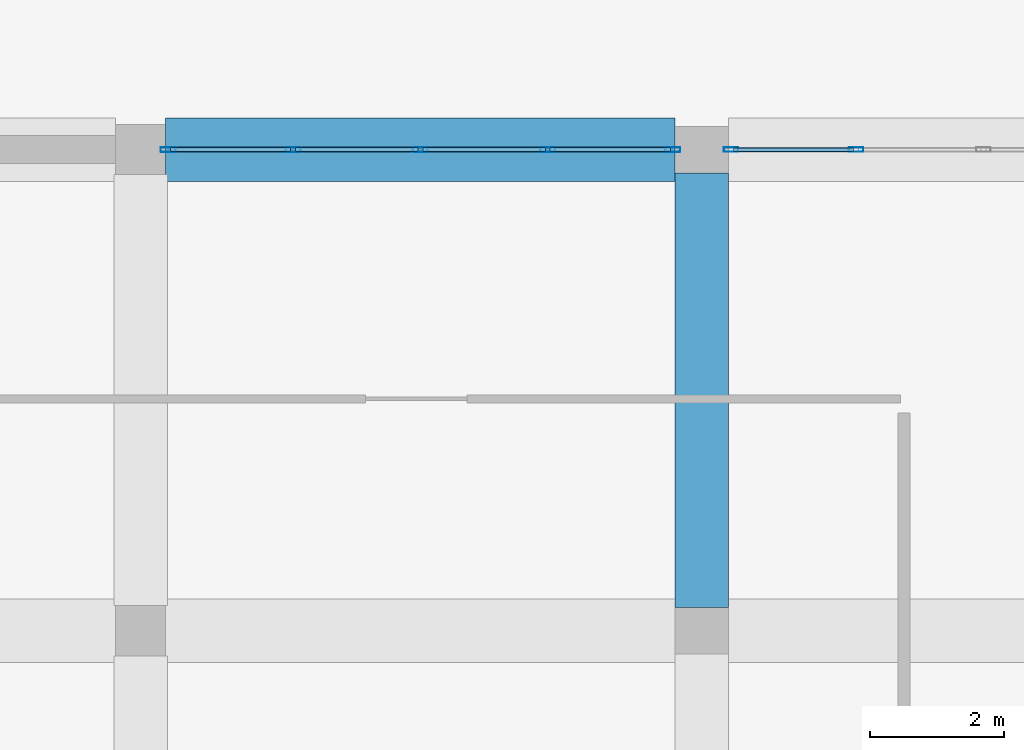
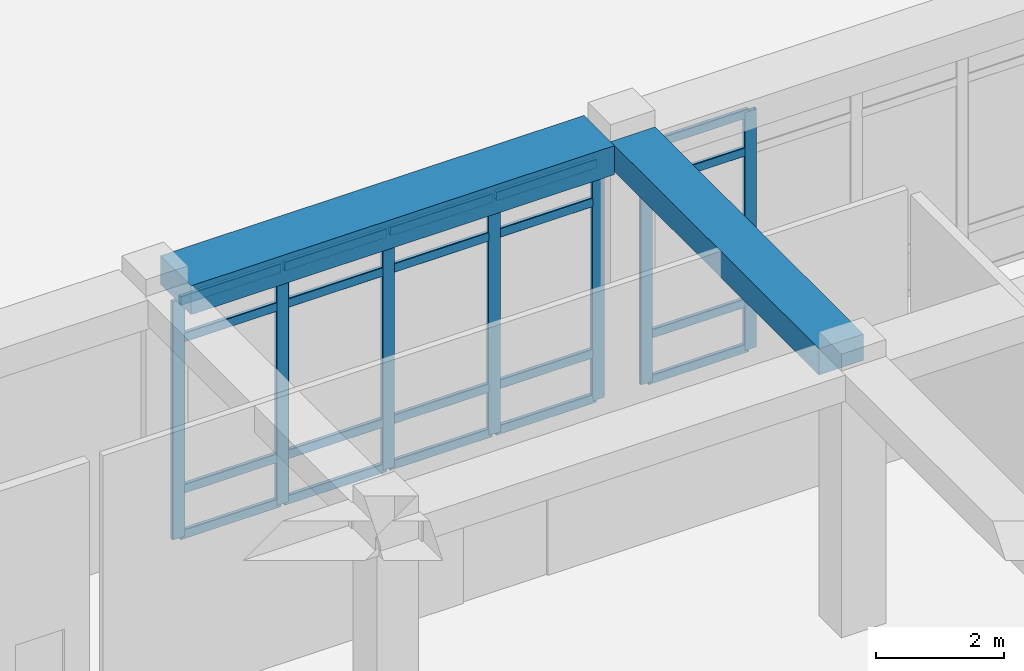
# One storey, part 21 of 84: 27 members, 2 beams, 2 elements without a shape of their own.
"""IFC4 building model written with IfcOpenShell, lengths in metres."""

from ifc_helpers import new_model, si_unit, derived_unit, direction, frame, origin, origin_2d, place, context, subcontext, project, spatial, rectangle, hollow_rectangle, extrude, material, material_profile, profile_set, type_object, element, aggregate, save


model = new_model("IFC4")

# Units and contexts
model_context = context("Model", 3, precision=1e-05, world=origin(), true_north=direction((0.0, 1.0)))
body_context = subcontext(model_context, "Body", "Model", "MODEL_VIEW")
ifc_project = project(units=[si_unit("LENGTHUNIT", "METRE"), si_unit("AREAUNIT", "SQUARE_METRE"), si_unit("VOLUMEUNIT", "CUBIC_METRE"), si_unit("PLANEANGLEUNIT", "RADIAN"), si_unit("MASSUNIT", "GRAM", prefix="KILO"), derived_unit("THERMALTRANSMITTANCEUNIT", [(si_unit("POWERUNIT", "WATT"), 1), (si_unit("LENGTHUNIT", "METRE"), -2), (si_unit("THERMODYNAMICTEMPERATUREUNIT", "KELVIN"), -1)])], contexts=[model_context])

# Site, building, storey
site_placement = place(None, origin())
site = spatial("IfcSite", under=ifc_project, at=site_placement, CompositionType="ELEMENT")
building_placement = place(site_placement, origin())
building = spatial("IfcBuilding", under=site, at=building_placement, Name="Veybourne Emporium", CompositionType="ELEMENT")
storey_placement = place(building_placement, origin())
storey = spatial("IfcBuildingStorey", under=building, at=storey_placement, Name="L00", CompositionType="ELEMENT", Elevation=0.0)

# Curtain wall, members
ifc_material_1 = material(Name="Patinated Architectural Bronze", Category="bronze")
curtain_wall_type_1 = type_object("IfcCurtainWallType", Name="CWSystem_CWS-09", PredefinedType="NOTDEFINED", material=ifc_material_1)
curtain_wall_1_placement = place(storey_placement, origin())
curtain_wall_1 = element("IfcCurtainWall", 1, at=curtain_wall_1_placement, inside=storey, type_object=curtain_wall_type_1, Name="L00 bronze glazed curtain wall CWS-09 (054)", PredefinedType="NOTDEFINED")
ifc_material_profile_1 = material_profile(ifc_material_1, hollow_rectangle(XDim=0.072021484375, YDim=0.22509765625, WallThickness=0.0048828125, InnerFilletRadius=0.007568359375, OuterFilletRadius=0.012451171875, at=origin_2d()), Name="CWM 72x225x5")
ifc_profile_set_1 = profile_set([ifc_material_profile_1], Name="Patinated Architectural Bronze")
member_type_1 = type_object("IfcMemberType", Name="CWMullion_CW-M1", PredefinedType="MULLION", material=ifc_profile_set_1)
member_1_placement = place(storey_placement, frame((101.2109375, 28.800048828125, 0.0), z_axis=(0.0, 0.0, 1.0), x_axis=(0.0, 1.0, 0.0)))
member_1 = element("IfcMember", 2, at=member_1_placement, type_object=member_type_1, Name="CWS-09 mullion 1", PredefinedType="MULLION", context=body_context, shape_type="SweptSolid", body=[
    extrude(hollow_rectangle(XDim=0.072021484375, YDim=0.22509765625, WallThickness=0.0048828125, InnerFilletRadius=0.007568359375, OuterFilletRadius=0.012451171875, at=origin_2d()), origin(), (0.0, 0.0, 1.0), 4.530029296875),
])
member_2_placement = place(storey_placement, frame((103.081298828125, 28.800048828125, 0.0), z_axis=(0.0, 0.0, 1.0), x_axis=(0.0, 1.0, 0.0)))
member_2 = element("IfcMember", 3, at=member_2_placement, type_object=member_type_1, Name="CWS-09 mullion 2", PredefinedType="MULLION", context=body_context, shape_type="SweptSolid", body=[
    extrude(hollow_rectangle(XDim=0.072021484375, YDim=0.22509765625, WallThickness=0.0048828125, InnerFilletRadius=0.007568359375, OuterFilletRadius=0.012451171875, at=origin_2d()), origin(), (0.0, 0.0, 1.0), 4.530029296875),
])
member_3_placement = place(storey_placement, frame((104.987548828125, 28.800048828125, 0.0), z_axis=(0.0, 0.0, 1.0), x_axis=(0.0, 1.0, 0.0)))
member_3 = element("IfcMember", 4, at=member_3_placement, type_object=member_type_1, Name="CWS-09 mullion 3", PredefinedType="MULLION", context=body_context, shape_type="SweptSolid", body=[
    extrude(hollow_rectangle(XDim=0.072021484375, YDim=0.22509765625, WallThickness=0.0048828125, InnerFilletRadius=0.007568359375, OuterFilletRadius=0.012451171875, at=origin_2d()), origin(), (0.0, 0.0, 1.0), 4.530029296875),
])
member_4_placement = place(storey_placement, frame((106.893798828125, 28.800048828125, 0.0), z_axis=(0.0, 0.0, 1.0), x_axis=(0.0, 1.0, 0.0)))
member_4 = element("IfcMember", 5, at=member_4_placement, type_object=member_type_1, Name="CWS-09 mullion 4", PredefinedType="MULLION", context=body_context, shape_type="SweptSolid", body=[
    extrude(hollow_rectangle(XDim=0.072021484375, YDim=0.22509765625, WallThickness=0.0048828125, InnerFilletRadius=0.007568359375, OuterFilletRadius=0.012451171875, at=origin_2d()), origin(), (0.0, 0.0, 1.0), 4.530029296875),
])
member_5_placement = place(storey_placement, frame((108.763916015625, 28.800048828125, 0.0), z_axis=(0.0, 0.0, 1.0), x_axis=(0.0, 1.0, 0.0)))
member_5 = element("IfcMember", 6, at=member_5_placement, type_object=member_type_1, Name="CWS-09 mullion 5", PredefinedType="MULLION", context=body_context, shape_type="SweptSolid", body=[
    extrude(hollow_rectangle(XDim=0.072021484375, YDim=0.22509765625, WallThickness=0.0048828125, InnerFilletRadius=0.007568359375, OuterFilletRadius=0.012451171875, at=origin_2d()), origin(), (0.0, 0.0, 1.0), 4.530029296875),
])

curtain_wall_type_2 = type_object("IfcCurtainWallType", Name="CWSystem_CWS-12", PredefinedType="NOTDEFINED", material=ifc_material_1)
curtain_wall_2_placement = place(storey_placement, origin())
curtain_wall_2 = element("IfcCurtainWall", 7, at=curtain_wall_2_placement, inside=storey, type_object=curtain_wall_type_2, Name="L00 bronze glazed curtain wall CWS-12 (058)", PredefinedType="NOTDEFINED")
ifc_material_profile_2 = material_profile(ifc_material_1, hollow_rectangle(XDim=0.070068359375, YDim=0.219970703125, WallThickness=0.0048828125, InnerFilletRadius=0.007568359375, OuterFilletRadius=0.012451171875, at=origin_2d()), Name="CWM 70x220x5")
ifc_profile_set_2 = profile_set([ifc_material_profile_2], Name="Patinated Architectural Bronze")
member_type_2 = type_object("IfcMemberType", Name="CWMullion_CW-M4", PredefinedType="MULLION", material=ifc_profile_set_2)
member_6_placement = place(storey_placement, frame((109.635009765625, 28.800048828125, 0.0), z_axis=(0.0, 0.0, 1.0), x_axis=(0.0, 1.0, 0.0)))
member_6 = element("IfcMember", 8, at=member_6_placement, type_object=member_type_2, Name="CWS-12 mullion 1", PredefinedType="MULLION", context=body_context, shape_type="SweptSolid", body=[
    extrude(hollow_rectangle(XDim=0.070068359375, YDim=0.219970703125, WallThickness=0.0048828125, InnerFilletRadius=0.007568359375, OuterFilletRadius=0.012451171875, at=origin_2d()), origin(), (0.0, 0.0, 1.0), 4.530029296875),
])
member_7_placement = place(storey_placement, frame((111.50634765625, 28.800048828125, 0.0), z_axis=(0.0, 0.0, 1.0), x_axis=(0.0, 1.0, 0.0)))
member_7 = element("IfcMember", 9, at=member_7_placement, type_object=member_type_2, Name="CWS-12 mullion 2", PredefinedType="MULLION", context=body_context, shape_type="SweptSolid", body=[
    extrude(hollow_rectangle(XDim=0.070068359375, YDim=0.219970703125, WallThickness=0.0048828125, InnerFilletRadius=0.007568359375, OuterFilletRadius=0.012451171875, at=origin_2d()), origin(), (0.0, 0.0, 1.0), 4.530029296875),
])

# Member
ifc_material_profile_3 = material_profile(ifc_material_1, hollow_rectangle(XDim=0.072021484375, YDim=0.175048828125, WallThickness=0.0048828125, InnerFilletRadius=0.007568359375, OuterFilletRadius=0.012451171875, at=origin_2d()), Name="CWT 72x175x5")
ifc_profile_set_3 = profile_set([ifc_material_profile_3], Name="Patinated Architectural Bronze")
member_type_3 = type_object("IfcMemberType", Name="CWTransom_CW-T1", PredefinedType="NOTDEFINED", material=ifc_profile_set_3)
member_8_placement = place(storey_placement, frame((101.2470703125, 28.800048828125, 0.035888671875), z_axis=(1.0, 0.0, 0.0), x_axis=(0.0, 1.0, 0.0)))
member_8 = element("IfcMember", 10, at=member_8_placement, type_object=member_type_3, Name="CWS-09 transom 1.1", ObjectType="TRANSOM", PredefinedType="USERDEFINED", context=body_context, shape_type="SweptSolid", body=[
    extrude(hollow_rectangle(XDim=0.072021484375, YDim=0.175048828125, WallThickness=0.0048828125, InnerFilletRadius=0.007568359375, OuterFilletRadius=0.012451171875, at=origin_2d()), origin(), (0.0, 0.0, 1.0), 1.798095703125),
])

member_9_placement = place(storey_placement, frame((101.2470703125, 28.800048828125, 0.89990234375), z_axis=(1.0, 0.0, 0.0), x_axis=(0.0, 1.0, 0.0)))
member_9 = element("IfcMember", 11, at=member_9_placement, type_object=member_type_3, Name="CWS-09 transom 1.2", ObjectType="TRANSOM", PredefinedType="USERDEFINED", context=body_context, shape_type="SweptSolid", body=[
    extrude(hollow_rectangle(XDim=0.072021484375, YDim=0.175048828125, WallThickness=0.0048828125, InnerFilletRadius=0.007568359375, OuterFilletRadius=0.012451171875, at=origin_2d()), origin(), (0.0, 0.0, 1.0), 1.798095703125),
])

member_10_placement = place(storey_placement, frame((101.2470703125, 28.800048828125, 3.780029296875), z_axis=(1.0, 0.0, 0.0), x_axis=(0.0, 1.0, 0.0)))
member_10 = element("IfcMember", 12, at=member_10_placement, type_object=member_type_3, Name="CWS-09 transom 1.3", ObjectType="TRANSOM", PredefinedType="USERDEFINED", context=body_context, shape_type="SweptSolid", body=[
    extrude(hollow_rectangle(XDim=0.072021484375, YDim=0.175048828125, WallThickness=0.0048828125, InnerFilletRadius=0.007568359375, OuterFilletRadius=0.012451171875, at=origin_2d()), origin(), (0.0, 0.0, 1.0), 1.798095703125),
])

member_11_placement = place(storey_placement, frame((101.2470703125, 28.800048828125, 4.493896484375), z_axis=(1.0, 0.0, 0.0), x_axis=(0.0, 1.0, 0.0)))
member_11 = element("IfcMember", 13, at=member_11_placement, type_object=member_type_3, Name="CWS-09 transom 1.4", ObjectType="TRANSOM", PredefinedType="USERDEFINED", context=body_context, shape_type="SweptSolid", body=[
    extrude(hollow_rectangle(XDim=0.072021484375, YDim=0.175048828125, WallThickness=0.0048828125, InnerFilletRadius=0.007568359375, OuterFilletRadius=0.012451171875, at=origin_2d()), origin(), (0.0, 0.0, 1.0), 1.798095703125),
])

member_12_placement = place(storey_placement, frame((103.1171875, 28.800048828125, 0.035888671875), z_axis=(1.0, 0.0, 0.0), x_axis=(0.0, 1.0, 0.0)))
member_12 = element("IfcMember", 14, at=member_12_placement, type_object=member_type_3, Name="CWS-09 transom 2.1", ObjectType="TRANSOM", PredefinedType="USERDEFINED", context=body_context, shape_type="SweptSolid", body=[
    extrude(hollow_rectangle(XDim=0.072021484375, YDim=0.175048828125, WallThickness=0.0048828125, InnerFilletRadius=0.007568359375, OuterFilletRadius=0.012451171875, at=origin_2d()), origin(), (0.0, 0.0, 1.0), 1.834228515625),
])

member_13_placement = place(storey_placement, frame((103.1171875, 28.800048828125, 0.89990234375), z_axis=(1.0, 0.0, 0.0), x_axis=(0.0, 1.0, 0.0)))
member_13 = element("IfcMember", 15, at=member_13_placement, type_object=member_type_3, Name="CWS-09 transom 2.2", ObjectType="TRANSOM", PredefinedType="USERDEFINED", context=body_context, shape_type="SweptSolid", body=[
    extrude(hollow_rectangle(XDim=0.072021484375, YDim=0.175048828125, WallThickness=0.0048828125, InnerFilletRadius=0.007568359375, OuterFilletRadius=0.012451171875, at=origin_2d()), origin(), (0.0, 0.0, 1.0), 1.834228515625),
])

member_14_placement = place(storey_placement, frame((103.1171875, 28.800048828125, 3.780029296875), z_axis=(1.0, 0.0, 0.0), x_axis=(0.0, 1.0, 0.0)))
member_14 = element("IfcMember", 16, at=member_14_placement, type_object=member_type_3, Name="CWS-09 transom 2.3", ObjectType="TRANSOM", PredefinedType="USERDEFINED", context=body_context, shape_type="SweptSolid", body=[
    extrude(hollow_rectangle(XDim=0.072021484375, YDim=0.175048828125, WallThickness=0.0048828125, InnerFilletRadius=0.007568359375, OuterFilletRadius=0.012451171875, at=origin_2d()), origin(), (0.0, 0.0, 1.0), 1.834228515625),
])

member_15_placement = place(storey_placement, frame((103.1171875, 28.800048828125, 4.493896484375), z_axis=(1.0, 0.0, 0.0), x_axis=(0.0, 1.0, 0.0)))
member_15 = element("IfcMember", 17, at=member_15_placement, type_object=member_type_3, Name="CWS-09 transom 2.4", ObjectType="TRANSOM", PredefinedType="USERDEFINED", context=body_context, shape_type="SweptSolid", body=[
    extrude(hollow_rectangle(XDim=0.072021484375, YDim=0.175048828125, WallThickness=0.0048828125, InnerFilletRadius=0.007568359375, OuterFilletRadius=0.012451171875, at=origin_2d()), origin(), (0.0, 0.0, 1.0), 1.834228515625),
])

member_16_placement = place(storey_placement, frame((105.0234375, 28.800048828125, 0.035888671875), z_axis=(1.0, 0.0, 0.0), x_axis=(0.0, 1.0, 0.0)))
member_16 = element("IfcMember", 18, at=member_16_placement, type_object=member_type_3, Name="CWS-09 transom 3.1", ObjectType="TRANSOM", PredefinedType="USERDEFINED", context=body_context, shape_type="SweptSolid", body=[
    extrude(hollow_rectangle(XDim=0.072021484375, YDim=0.175048828125, WallThickness=0.0048828125, InnerFilletRadius=0.007568359375, OuterFilletRadius=0.012451171875, at=origin_2d()), origin(), (0.0, 0.0, 1.0), 1.834228515625),
])

member_17_placement = place(storey_placement, frame((105.0234375, 28.800048828125, 0.89990234375), z_axis=(1.0, 0.0, 0.0), x_axis=(0.0, 1.0, 0.0)))
member_17 = element("IfcMember", 19, at=member_17_placement, type_object=member_type_3, Name="CWS-09 transom 3.2", ObjectType="TRANSOM", PredefinedType="USERDEFINED", context=body_context, shape_type="SweptSolid", body=[
    extrude(hollow_rectangle(XDim=0.072021484375, YDim=0.175048828125, WallThickness=0.0048828125, InnerFilletRadius=0.007568359375, OuterFilletRadius=0.012451171875, at=origin_2d()), origin(), (0.0, 0.0, 1.0), 1.834228515625),
])

member_18_placement = place(storey_placement, frame((105.0234375, 28.800048828125, 3.780029296875), z_axis=(1.0, 0.0, 0.0), x_axis=(0.0, 1.0, 0.0)))
member_18 = element("IfcMember", 20, at=member_18_placement, type_object=member_type_3, Name="CWS-09 transom 3.3", ObjectType="TRANSOM", PredefinedType="USERDEFINED", context=body_context, shape_type="SweptSolid", body=[
    extrude(hollow_rectangle(XDim=0.072021484375, YDim=0.175048828125, WallThickness=0.0048828125, InnerFilletRadius=0.007568359375, OuterFilletRadius=0.012451171875, at=origin_2d()), origin(), (0.0, 0.0, 1.0), 1.834228515625),
])

member_19_placement = place(storey_placement, frame((105.0234375, 28.800048828125, 4.493896484375), z_axis=(1.0, 0.0, 0.0), x_axis=(0.0, 1.0, 0.0)))
member_19 = element("IfcMember", 21, at=member_19_placement, type_object=member_type_3, Name="CWS-09 transom 3.4", ObjectType="TRANSOM", PredefinedType="USERDEFINED", context=body_context, shape_type="SweptSolid", body=[
    extrude(hollow_rectangle(XDim=0.072021484375, YDim=0.175048828125, WallThickness=0.0048828125, InnerFilletRadius=0.007568359375, OuterFilletRadius=0.012451171875, at=origin_2d()), origin(), (0.0, 0.0, 1.0), 1.834228515625),
])

member_20_placement = place(storey_placement, frame((106.9296875, 28.800048828125, 0.035888671875), z_axis=(1.0, 0.0, 0.0), x_axis=(0.0, 1.0, 0.0)))
member_20 = element("IfcMember", 22, at=member_20_placement, type_object=member_type_3, Name="CWS-09 transom 4.1", ObjectType="TRANSOM", PredefinedType="USERDEFINED", context=body_context, shape_type="SweptSolid", body=[
    extrude(hollow_rectangle(XDim=0.072021484375, YDim=0.175048828125, WallThickness=0.0048828125, InnerFilletRadius=0.007568359375, OuterFilletRadius=0.012451171875, at=origin_2d()), origin(), (0.0, 0.0, 1.0), 1.79833984375),
])

member_21_placement = place(storey_placement, frame((106.9296875, 28.800048828125, 0.89990234375), z_axis=(1.0, 0.0, 0.0), x_axis=(0.0, 1.0, 0.0)))
member_21 = element("IfcMember", 23, at=member_21_placement, type_object=member_type_3, Name="CWS-09 transom 4.2", ObjectType="TRANSOM", PredefinedType="USERDEFINED", context=body_context, shape_type="SweptSolid", body=[
    extrude(hollow_rectangle(XDim=0.072021484375, YDim=0.175048828125, WallThickness=0.0048828125, InnerFilletRadius=0.007568359375, OuterFilletRadius=0.012451171875, at=origin_2d()), origin(), (0.0, 0.0, 1.0), 1.79833984375),
])

member_22_placement = place(storey_placement, frame((106.9296875, 28.800048828125, 3.780029296875), z_axis=(1.0, 0.0, 0.0), x_axis=(0.0, 1.0, 0.0)))
member_22 = element("IfcMember", 24, at=member_22_placement, type_object=member_type_3, Name="CWS-09 transom 4.3", ObjectType="TRANSOM", PredefinedType="USERDEFINED", context=body_context, shape_type="SweptSolid", body=[
    extrude(hollow_rectangle(XDim=0.072021484375, YDim=0.175048828125, WallThickness=0.0048828125, InnerFilletRadius=0.007568359375, OuterFilletRadius=0.012451171875, at=origin_2d()), origin(), (0.0, 0.0, 1.0), 1.79833984375),
])

member_23_placement = place(storey_placement, frame((106.9296875, 28.800048828125, 4.493896484375), z_axis=(1.0, 0.0, 0.0), x_axis=(0.0, 1.0, 0.0)))
member_23 = element("IfcMember", 25, at=member_23_placement, type_object=member_type_3, Name="CWS-09 transom 4.4", ObjectType="TRANSOM", PredefinedType="USERDEFINED", context=body_context, shape_type="SweptSolid", body=[
    extrude(hollow_rectangle(XDim=0.072021484375, YDim=0.175048828125, WallThickness=0.0048828125, InnerFilletRadius=0.007568359375, OuterFilletRadius=0.012451171875, at=origin_2d()), origin(), (0.0, 0.0, 1.0), 1.79833984375),
])

aggregate(curtain_wall_1, [member_1, member_2, member_3, member_4, member_5, member_8, member_9, member_10, member_11, member_12, member_13, member_14, member_15, member_16, member_17, member_18, member_19, member_20, member_21, member_22, member_23])

ifc_material_profile_4 = material_profile(ifc_material_1, hollow_rectangle(XDim=0.070068359375, YDim=0.169921875, WallThickness=0.0048828125, InnerFilletRadius=0.007568359375, OuterFilletRadius=0.012451171875, at=origin_2d()), Name="CWT 70x170x5")
ifc_profile_set_4 = profile_set([ifc_material_profile_4], Name="Patinated Architectural Bronze")
member_type_4 = type_object("IfcMemberType", Name="CWTransom_CW-T4", PredefinedType="NOTDEFINED", material=ifc_profile_set_4)
member_24_placement = place(storey_placement, frame((109.669921875, 28.800048828125, 0.034912109375), z_axis=(1.0, 0.0, 0.0), x_axis=(0.0, 1.0, 0.0)))
member_24 = element("IfcMember", 26, at=member_24_placement, type_object=member_type_4, Name="CWS-12 transom 1.1", ObjectType="TRANSOM", PredefinedType="USERDEFINED", context=body_context, shape_type="SweptSolid", body=[
    extrude(hollow_rectangle(XDim=0.070068359375, YDim=0.169921875, WallThickness=0.0048828125, InnerFilletRadius=0.007568359375, OuterFilletRadius=0.012451171875, at=origin_2d()), origin(), (0.0, 0.0, 1.0), 1.80126953125),
])

member_25_placement = place(storey_placement, frame((109.669921875, 28.800048828125, 0.89990234375), z_axis=(1.0, 0.0, 0.0), x_axis=(0.0, 1.0, 0.0)))
member_25 = element("IfcMember", 27, at=member_25_placement, type_object=member_type_4, Name="CWS-12 transom 1.2", ObjectType="TRANSOM", PredefinedType="USERDEFINED", context=body_context, shape_type="SweptSolid", body=[
    extrude(hollow_rectangle(XDim=0.070068359375, YDim=0.169921875, WallThickness=0.0048828125, InnerFilletRadius=0.007568359375, OuterFilletRadius=0.012451171875, at=origin_2d()), origin(), (0.0, 0.0, 1.0), 1.80126953125),
])

member_26_placement = place(storey_placement, frame((109.669921875, 28.800048828125, 3.780029296875), z_axis=(1.0, 0.0, 0.0), x_axis=(0.0, 1.0, 0.0)))
member_26 = element("IfcMember", 28, at=member_26_placement, type_object=member_type_4, Name="CWS-12 transom 1.3", ObjectType="TRANSOM", PredefinedType="USERDEFINED", context=body_context, shape_type="SweptSolid", body=[
    extrude(hollow_rectangle(XDim=0.070068359375, YDim=0.169921875, WallThickness=0.0048828125, InnerFilletRadius=0.007568359375, OuterFilletRadius=0.012451171875, at=origin_2d()), origin(), (0.0, 0.0, 1.0), 1.80126953125),
])

member_27_placement = place(storey_placement, frame((109.669921875, 28.800048828125, 4.4951171875), z_axis=(1.0, 0.0, 0.0), x_axis=(0.0, 1.0, 0.0)))
member_27 = element("IfcMember", 29, at=member_27_placement, type_object=member_type_4, Name="CWS-12 transom 1.4", ObjectType="TRANSOM", PredefinedType="USERDEFINED", context=body_context, shape_type="SweptSolid", body=[
    extrude(hollow_rectangle(XDim=0.070068359375, YDim=0.169921875, WallThickness=0.0048828125, InnerFilletRadius=0.007568359375, OuterFilletRadius=0.012451171875, at=origin_2d()), origin(), (0.0, 0.0, 1.0), 1.80126953125),
])

aggregate(curtain_wall_2, [member_6, member_7, member_24, member_25, member_26, member_27])

# Beams
ifc_material_2 = material(Name="Concrete C32/40", Category="concrete")
ifc_material_profile_5 = material_profile(ifc_material_2, rectangle(XDim=0.800048828125, YDim=0.5, at=origin_2d()), Name="RC 800x500")
ifc_profile_set_5 = profile_set([ifc_material_profile_5], Name="Concrete C32/40")
beam_type_1 = type_object("IfcBeamType", Name="RCBeam_BB-02", PredefinedType="BEAM", material=ifc_profile_set_5)
beam_1_placement = place(storey_placement, frame((109.199951171875, 21.949951171875, 4.830078125), z_axis=(0.0, 1.0, 0.0), x_axis=(-1.0, 0.0, 0.0)))
element("IfcBeam", 30, at=beam_1_placement, inside=storey, type_object=beam_type_1, Name="L00 Y-grid beam BB-02 (13,3)", PredefinedType="BEAM", context=body_context, shape_type="SweptSolid", body=[
    extrude(rectangle(XDim=0.800048828125, YDim=0.5, at=origin_2d()), origin(), (0.0, 0.0, 1.0), 6.5),
])
ifc_material_profile_6 = material_profile(ifc_material_2, rectangle(XDim=0.949951171875, YDim=0.550048828125, at=origin_2d()), Name="RC 950x550")
ifc_profile_set_6 = profile_set([ifc_material_profile_6], Name="Concrete C32/40")
beam_type_2 = type_object("IfcBeamType", Name="RCBeam_EB-01", PredefinedType="SPANDREL", material=ifc_profile_set_6)
beam_2_placement = place(storey_placement, frame((101.175048828125, 28.800048828125, 4.804931640625), z_axis=(1.0, 0.0, 0.0), x_axis=(0.0, 1.0, 0.0)))
element("IfcBeam", 31, at=beam_2_placement, inside=storey, type_object=beam_type_2, Name="L00 X-grid beam EB-01 (12,4)", PredefinedType="SPANDREL", context=body_context, shape_type="SweptSolid", body=[
    extrude(rectangle(XDim=0.949951171875, YDim=0.550048828125, at=origin_2d()), origin(), (0.0, 0.0, 1.0), 7.625),
])

save(model, "model.ifc")
